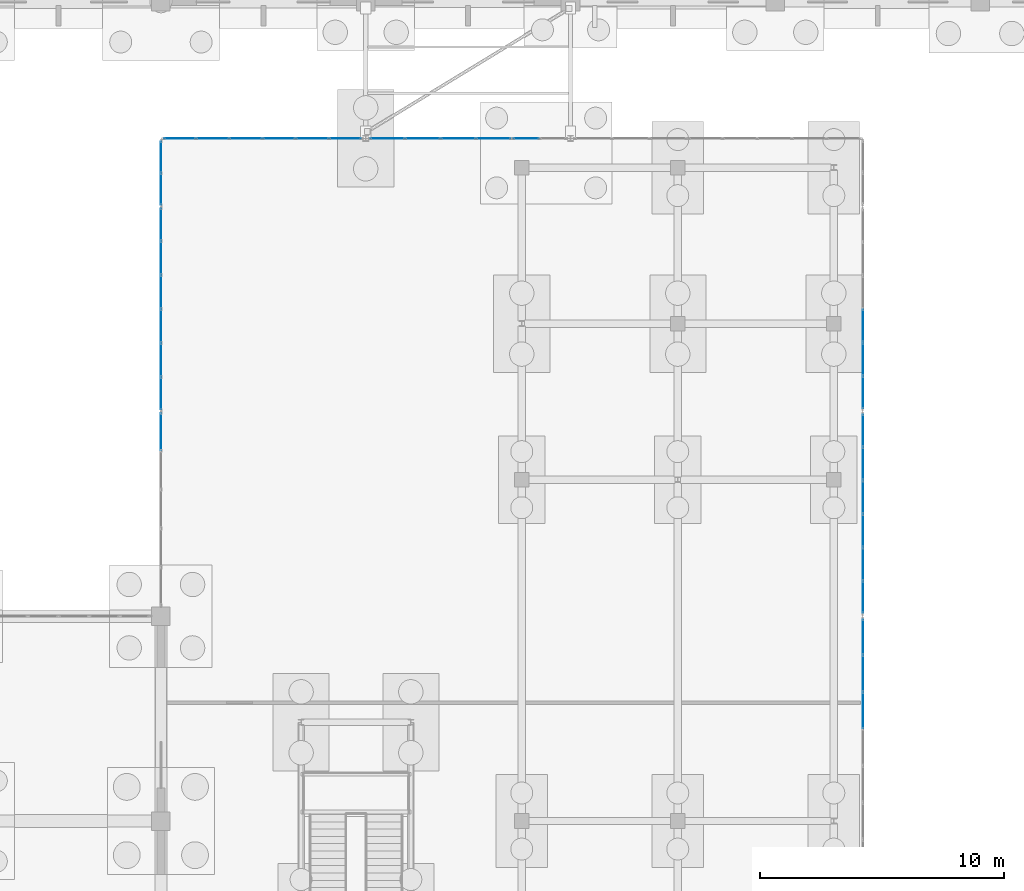
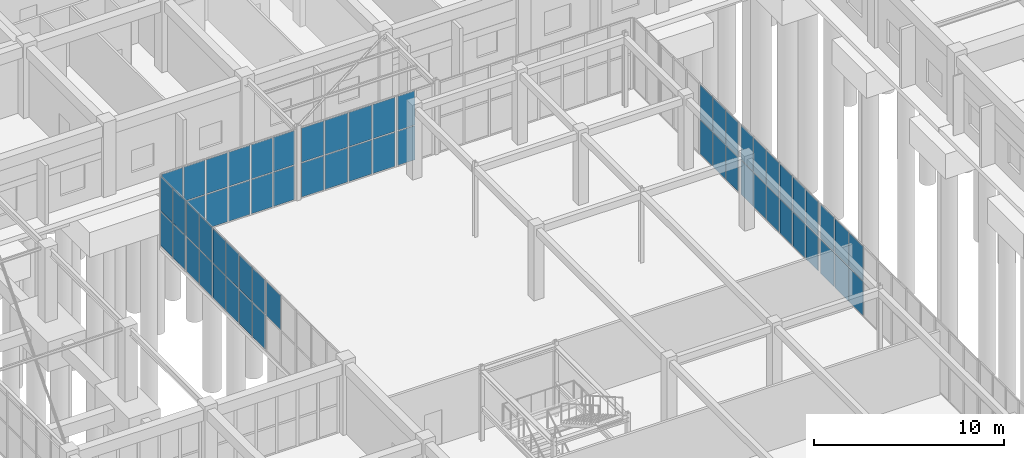
# One storey, part 142 of 192: 63 plates, 9 elements without a shape of their own.
"""IFC4 building model written with IfcOpenShell, lengths in metres."""

from ifc_helpers import new_model, si_unit, direction, frame, origin, origin_2d, place, context, subcontext, project, spatial, rectangle, extrude, material, layer, layer_set, type_object, element, aggregate, save


model = new_model("IFC4")

# Units and contexts
model_context = context("Model", 3, precision=1e-05, world=origin(), true_north=direction((0.0, 1.0)))
body_context = subcontext(model_context, "Body", "Model", "MODEL_VIEW")
ifc_project = project(units=[si_unit("LENGTHUNIT", "METRE"), si_unit("AREAUNIT", "SQUARE_METRE"), si_unit("VOLUMEUNIT", "CUBIC_METRE"), si_unit("PLANEANGLEUNIT", "RADIAN"), si_unit("MASSUNIT", "GRAM", prefix="KILO")], contexts=[model_context])

# Site, building, storey
site_placement = place(None, origin())
site = spatial("IfcSite", under=ifc_project, at=site_placement, CompositionType="ELEMENT")
building_placement = place(site_placement, origin())
building = spatial("IfcBuilding", under=site, at=building_placement, Name="Trelvath General Hospital", CompositionType="ELEMENT")
storey_placement = place(building_placement, origin())
storey = spatial("IfcBuildingStorey", under=building, at=storey_placement, Name="L00", CompositionType="ELEMENT", Elevation=0.0)

# Curtain wall, plates
ifc_material_1 = material(Name="Anodised aluminium and low-E glass", Category="aluminium")
ifc_layer_1 = layer(ifc_material_1, 0.139892578125)
ifc_layer_set_1 = layer_set([ifc_layer_1], Name="Anodised aluminium and low-E glass")
curtain_wall_type_1 = type_object("IfcCurtainWallType", Name="CW CrystalCube 817 456 14", PredefinedType="USERDEFINED", material=ifc_layer_set_1)
curtain_wall_1_placement = place(storey_placement, origin())
curtain_wall_1 = element("IfcCurtainWall", 1, at=curtain_wall_1_placement, inside=storey, type_object=curtain_wall_type_1, Name="Crystal Cube Curtain Wall CUBE-E-T0 N1 L00", ObjectType="Unitised Glazed Curtain Wall", PredefinedType="USERDEFINED")
ifc_material_2 = material(Name="Low-E laminated glass", Category="glass")
ifc_layer_2 = layer(ifc_material_2, 0.028076171875)
ifc_layer_set_2 = layer_set([ifc_layer_2], Name="Low-E laminated glass")
plate_type = type_object("IfcPlateType", Name="CurtainPanel Glass28", PredefinedType="CURTAIN_PANEL", material=ifc_layer_set_2)
plate_1_placement = place(storey_placement, frame((93.17578125, 86.800048828125, 0.06005859375), z_axis=(0.0, 0.0, 1.0), x_axis=(1.0, 0.0, 0.0)))
plate_1 = element("IfcPlate", 2, at=plate_1_placement, type_object=plate_type, Name="CW-111 panel 1.1", PredefinedType="CURTAIN_PANEL", context=body_context, shape_type="SweptSolid", body=[
    extrude(rectangle(XDim=1.271728515625, YDim=0.028076171875, at=origin_2d()), origin(), (0.0, 0.0, 1.0), 2.18994140625),
])
plate_2_placement = place(storey_placement, frame((93.17578125, 86.800048828125, 2.31005859375), z_axis=(0.0, 0.0, 1.0), x_axis=(1.0, 0.0, 0.0)))
plate_2 = element("IfcPlate", 3, at=plate_2_placement, type_object=plate_type, Name="CW-111 panel 1.2", PredefinedType="CURTAIN_PANEL", context=body_context, shape_type="SweptSolid", body=[
    extrude(rectangle(XDim=1.271728515625, YDim=0.028076171875, at=origin_2d()), origin(), (0.0, 0.0, 1.0), 2.18994140625),
])
plate_3_placement = place(storey_placement, frame((94.5224609375, 86.800048828125, 0.06005859375), z_axis=(0.0, 0.0, 1.0), x_axis=(1.0, 0.0, 0.0)))
plate_3 = element("IfcPlate", 4, at=plate_3_placement, type_object=plate_type, Name="CW-111 panel 2.1", PredefinedType="CURTAIN_PANEL", context=body_context, shape_type="SweptSolid", body=[
    extrude(rectangle(XDim=1.3017578125, YDim=0.028076171875, at=origin_2d()), origin(), (0.0, 0.0, 1.0), 2.18994140625),
])
plate_4_placement = place(storey_placement, frame((94.5224609375, 86.800048828125, 2.31005859375), z_axis=(0.0, 0.0, 1.0), x_axis=(1.0, 0.0, 0.0)))
plate_4 = element("IfcPlate", 5, at=plate_4_placement, type_object=plate_type, Name="CW-111 panel 2.2", PredefinedType="CURTAIN_PANEL", context=body_context, shape_type="SweptSolid", body=[
    extrude(rectangle(XDim=1.3017578125, YDim=0.028076171875, at=origin_2d()), origin(), (0.0, 0.0, 1.0), 2.18994140625),
])
plate_5_placement = place(storey_placement, frame((95.88427734375, 86.800048828125, 0.06005859375), z_axis=(0.0, 0.0, 1.0), x_axis=(1.0, 0.0, 0.0)))
plate_5 = element("IfcPlate", 6, at=plate_5_placement, type_object=plate_type, Name="CW-111 panel 3.1", PredefinedType="CURTAIN_PANEL", context=body_context, shape_type="SweptSolid", body=[
    extrude(rectangle(XDim=1.3017578125, YDim=0.028076171875, at=origin_2d()), origin(), (0.0, 0.0, 1.0), 2.18994140625),
])
plate_6_placement = place(storey_placement, frame((95.88427734375, 86.800048828125, 2.31005859375), z_axis=(0.0, 0.0, 1.0), x_axis=(1.0, 0.0, 0.0)))
plate_6 = element("IfcPlate", 7, at=plate_6_placement, type_object=plate_type, Name="CW-111 panel 3.2", PredefinedType="CURTAIN_PANEL", context=body_context, shape_type="SweptSolid", body=[
    extrude(rectangle(XDim=1.3017578125, YDim=0.028076171875, at=origin_2d()), origin(), (0.0, 0.0, 1.0), 2.18994140625),
])
plate_7_placement = place(storey_placement, frame((97.245849609375, 86.800048828125, 0.06005859375), z_axis=(0.0, 0.0, 1.0), x_axis=(1.0, 0.0, 0.0)))
plate_7 = element("IfcPlate", 8, at=plate_7_placement, type_object=plate_type, Name="CW-111 panel 4.1", PredefinedType="CURTAIN_PANEL", context=body_context, shape_type="SweptSolid", body=[
    extrude(rectangle(XDim=1.3017578125, YDim=0.028076171875, at=origin_2d()), origin(), (0.0, 0.0, 1.0), 2.18994140625),
])
plate_8_placement = place(storey_placement, frame((97.245849609375, 86.800048828125, 2.31005859375), z_axis=(0.0, 0.0, 1.0), x_axis=(1.0, 0.0, 0.0)))
plate_8 = element("IfcPlate", 9, at=plate_8_placement, type_object=plate_type, Name="CW-111 panel 4.2", PredefinedType="CURTAIN_PANEL", context=body_context, shape_type="SweptSolid", body=[
    extrude(rectangle(XDim=1.3017578125, YDim=0.028076171875, at=origin_2d()), origin(), (0.0, 0.0, 1.0), 2.18994140625),
])
plate_9_placement = place(storey_placement, frame((98.607421875, 86.800048828125, 0.06005859375), z_axis=(0.0, 0.0, 1.0), x_axis=(1.0, 0.0, 0.0)))
plate_9 = element("IfcPlate", 10, at=plate_9_placement, type_object=plate_type, Name="CW-111 panel 5.1", PredefinedType="CURTAIN_PANEL", context=body_context, shape_type="SweptSolid", body=[
    extrude(rectangle(XDim=1.3017578125, YDim=0.028076171875, at=origin_2d()), origin(), (0.0, 0.0, 1.0), 2.18994140625),
])
plate_10_placement = place(storey_placement, frame((98.607421875, 86.800048828125, 2.31005859375), z_axis=(0.0, 0.0, 1.0), x_axis=(1.0, 0.0, 0.0)))
plate_10 = element("IfcPlate", 11, at=plate_10_placement, type_object=plate_type, Name="CW-111 panel 5.2", PredefinedType="CURTAIN_PANEL", context=body_context, shape_type="SweptSolid", body=[
    extrude(rectangle(XDim=1.3017578125, YDim=0.028076171875, at=origin_2d()), origin(), (0.0, 0.0, 1.0), 2.18994140625),
])
plate_11_placement = place(storey_placement, frame((99.9541015625, 86.800048828125, 0.06005859375), z_axis=(0.0, 0.0, 1.0), x_axis=(1.0, 0.0, 0.0)))
plate_11 = element("IfcPlate", 12, at=plate_11_placement, type_object=plate_type, Name="CW-111 panel 6.1", PredefinedType="CURTAIN_PANEL", context=body_context, shape_type="SweptSolid", body=[
    extrude(rectangle(XDim=1.271728515625, YDim=0.028076171875, at=origin_2d()), origin(), (0.0, 0.0, 1.0), 2.18994140625),
])
plate_12_placement = place(storey_placement, frame((99.9541015625, 86.800048828125, 2.31005859375), z_axis=(0.0, 0.0, 1.0), x_axis=(1.0, 0.0, 0.0)))
plate_12 = element("IfcPlate", 13, at=plate_12_placement, type_object=plate_type, Name="CW-111 panel 6.2", PredefinedType="CURTAIN_PANEL", context=body_context, shape_type="SweptSolid", body=[
    extrude(rectangle(XDim=1.271728515625, YDim=0.028076171875, at=origin_2d()), origin(), (0.0, 0.0, 1.0), 2.18994140625),
])
aggregate(curtain_wall_1, [plate_1, plate_2, plate_3, plate_4, plate_5, plate_6, plate_7, plate_8, plate_9, plate_10, plate_11, plate_12])

ifc_material_3 = material(Name="Anodised aluminium and low-E glass", Category="aluminium")
ifc_layer_3 = layer(ifc_material_3, 0.139892578125)
ifc_layer_set_3 = layer_set([ifc_layer_3], Name="Anodised aluminium and low-E glass")
curtain_wall_type_2 = type_object("IfcCurtainWallType", Name="CW CrystalCube 583 456 14", PredefinedType="USERDEFINED", material=ifc_layer_set_3)
curtain_wall_2_placement = place(storey_placement, origin())
curtain_wall_2 = element("IfcCurtainWall", 14, at=curtain_wall_2_placement, inside=storey, type_object=curtain_wall_type_2, Name="Crystal Cube Curtain Wall CUBE-E-T0 N2 L00", ObjectType="Unitised Glazed Curtain Wall", PredefinedType="USERDEFINED")
plate_13_placement = place(storey_placement, frame((101.69384765625, 86.800048828125, 0.06005859375), z_axis=(0.0, 0.0, 1.0), x_axis=(1.0, 0.0, 0.0)))
plate_13 = element("IfcPlate", 15, at=plate_13_placement, type_object=plate_type, Name="CW-112 panel 1.1", PredefinedType="CURTAIN_PANEL", context=body_context, shape_type="SweptSolid", body=[
    extrude(rectangle(XDim=1.367431640625, YDim=0.028076171875, at=origin_2d()), origin(), (0.0, 0.0, 1.0), 2.18994140625),
])
plate_14_placement = place(storey_placement, frame((101.69384765625, 86.800048828125, 2.31005859375), z_axis=(0.0, 0.0, 1.0), x_axis=(1.0, 0.0, 0.0)))
plate_14 = element("IfcPlate", 16, at=plate_14_placement, type_object=plate_type, Name="CW-112 panel 1.2", PredefinedType="CURTAIN_PANEL", context=body_context, shape_type="SweptSolid", body=[
    extrude(rectangle(XDim=1.367431640625, YDim=0.028076171875, at=origin_2d()), origin(), (0.0, 0.0, 1.0), 2.18994140625),
])
plate_15_placement = place(storey_placement, frame((103.13623046875, 86.800048828125, 0.06005859375), z_axis=(0.0, 0.0, 1.0), x_axis=(1.0, 0.0, 0.0)))
plate_15 = element("IfcPlate", 17, at=plate_15_placement, type_object=plate_type, Name="CW-112 panel 2.1", PredefinedType="CURTAIN_PANEL", context=body_context, shape_type="SweptSolid", body=[
    extrude(rectangle(XDim=1.3974609375, YDim=0.028076171875, at=origin_2d()), origin(), (0.0, 0.0, 1.0), 2.18994140625),
])
plate_16_placement = place(storey_placement, frame((103.13623046875, 86.800048828125, 2.31005859375), z_axis=(0.0, 0.0, 1.0), x_axis=(1.0, 0.0, 0.0)))
plate_16 = element("IfcPlate", 18, at=plate_16_placement, type_object=plate_type, Name="CW-112 panel 2.2", PredefinedType="CURTAIN_PANEL", context=body_context, shape_type="SweptSolid", body=[
    extrude(rectangle(XDim=1.3974609375, YDim=0.028076171875, at=origin_2d()), origin(), (0.0, 0.0, 1.0), 2.18994140625),
])
plate_17_placement = place(storey_placement, frame((104.59375, 86.800048828125, 0.06005859375), z_axis=(0.0, 0.0, 1.0), x_axis=(1.0, 0.0, 0.0)))
plate_17 = element("IfcPlate", 19, at=plate_17_placement, type_object=plate_type, Name="CW-112 panel 3.1", PredefinedType="CURTAIN_PANEL", context=body_context, shape_type="SweptSolid", body=[
    extrude(rectangle(XDim=1.3974609375, YDim=0.028076171875, at=origin_2d()), origin(), (0.0, 0.0, 1.0), 2.18994140625),
])
plate_18_placement = place(storey_placement, frame((104.59375, 86.800048828125, 2.31005859375), z_axis=(0.0, 0.0, 1.0), x_axis=(1.0, 0.0, 0.0)))
plate_18 = element("IfcPlate", 20, at=plate_18_placement, type_object=plate_type, Name="CW-112 panel 3.2", PredefinedType="CURTAIN_PANEL", context=body_context, shape_type="SweptSolid", body=[
    extrude(rectangle(XDim=1.3974609375, YDim=0.028076171875, at=origin_2d()), origin(), (0.0, 0.0, 1.0), 2.18994140625),
])
plate_19_placement = place(storey_placement, frame((106.0361328125, 86.800048828125, 0.06005859375), z_axis=(0.0, 0.0, 1.0), x_axis=(1.0, 0.0, 0.0)))
plate_19 = element("IfcPlate", 21, at=plate_19_placement, type_object=plate_type, Name="CW-112 panel 4.1", PredefinedType="CURTAIN_PANEL", context=body_context, shape_type="SweptSolid", body=[
    extrude(rectangle(XDim=1.367431640625, YDim=0.028076171875, at=origin_2d()), origin(), (0.0, 0.0, 1.0), 2.18994140625),
])
plate_20_placement = place(storey_placement, frame((106.0361328125, 86.800048828125, 2.31005859375), z_axis=(0.0, 0.0, 1.0), x_axis=(1.0, 0.0, 0.0)))
plate_20 = element("IfcPlate", 22, at=plate_20_placement, type_object=plate_type, Name="CW-112 panel 4.2", PredefinedType="CURTAIN_PANEL", context=body_context, shape_type="SweptSolid", body=[
    extrude(rectangle(XDim=1.367431640625, YDim=0.028076171875, at=origin_2d()), origin(), (0.0, 0.0, 1.0), 2.18994140625),
])
aggregate(curtain_wall_2, [plate_13, plate_14, plate_15, plate_16, plate_17, plate_18, plate_19, plate_20])

ifc_material_4 = material(Name="Anodised aluminium and low-E glass", Category="aluminium")
ifc_layer_4 = layer(ifc_material_4, 0.139892578125)
ifc_layer_set_4 = layer_set([ifc_layer_4], Name="Anodised aluminium and low-E glass")
curtain_wall_type_3 = type_object("IfcCurtainWallType", Name="CW CrystalCube 223 456 14", PredefinedType="USERDEFINED", material=ifc_layer_set_4)
curtain_wall_3_placement = place(storey_placement, origin())
curtain_wall_3 = element("IfcCurtainWall", 23, at=curtain_wall_3_placement, inside=storey, type_object=curtain_wall_type_3, Name="Crystal Cube Curtain Wall CUBE-E-T0 N3 L00", ObjectType="Unitised Glazed Curtain Wall", PredefinedType="USERDEFINED")
plate_21_placement = place(storey_placement, frame((107.392578125, 86.800048828125, 0.06005859375), z_axis=(0.0, 0.0, 1.0), x_axis=(1.0, 0.0, 0.0)))
plate_21 = element("IfcPlate", 24, at=plate_21_placement, type_object=plate_type, Name="CW-113 panel 1.1", PredefinedType="CURTAIN_PANEL", context=body_context, shape_type="SweptSolid", body=[
    extrude(rectangle(XDim=1.02490234375, YDim=0.028076171875, at=origin_2d()), origin(), (0.0, 0.0, 1.0), 2.18994140625),
])
plate_22_placement = place(storey_placement, frame((107.392578125, 86.800048828125, 2.31005859375), z_axis=(0.0, 0.0, 1.0), x_axis=(1.0, 0.0, 0.0)))
plate_22 = element("IfcPlate", 25, at=plate_22_placement, type_object=plate_type, Name="CW-113 panel 1.2", PredefinedType="CURTAIN_PANEL", context=body_context, shape_type="SweptSolid", body=[
    extrude(rectangle(XDim=1.02490234375, YDim=0.028076171875, at=origin_2d()), origin(), (0.0, 0.0, 1.0), 2.18994140625),
])
aggregate(curtain_wall_3, [plate_21, plate_22])

ifc_material_5 = material(Name="Anodised aluminium and low-E glass", Category="aluminium")
ifc_layer_5 = layer(ifc_material_5, 0.139892578125)
ifc_layer_set_5 = layer_set([ifc_layer_5], Name="Anodised aluminium and low-E glass")
curtain_wall_type_4 = type_object("IfcCurtainWallType", Name="CW CrystalCube 1664 456 14", PredefinedType="USERDEFINED", material=ifc_layer_set_5)
curtain_wall_4_placement = place(storey_placement, origin())
curtain_wall_4 = element("IfcCurtainWall", 26, at=curtain_wall_4_placement, inside=storey, type_object=curtain_wall_type_4, Name="Crystal Cube Curtain Wall CUBE-E-T0 E4 L00", ObjectType="Unitised Glazed Curtain Wall", PredefinedType="USERDEFINED")
plate_23_placement = place(storey_placement, frame((121.199951171875, 66.3486328125, 0.06005859375), z_axis=(0.0, 0.0, 1.0), x_axis=(0.0, -1.0, 0.0)))
plate_23 = element("IfcPlate", 27, at=plate_23_placement, type_object=plate_type, Name="CW-121 panel 1.1", PredefinedType="CURTAIN_PANEL", context=body_context, shape_type="SweptSolid", body=[
    extrude(rectangle(XDim=1.422607421875, YDim=0.028076171875, at=origin_2d()), origin(), (0.0, 0.0, 1.0), 2.18994140625),
])
plate_24_placement = place(storey_placement, frame((121.199951171875, 66.3486328125, 2.31005859375), z_axis=(0.0, 0.0, 1.0), x_axis=(0.0, -1.0, 0.0)))
plate_24 = element("IfcPlate", 28, at=plate_24_placement, type_object=plate_type, Name="CW-121 panel 1.2", PredefinedType="CURTAIN_PANEL", context=body_context, shape_type="SweptSolid", body=[
    extrude(rectangle(XDim=1.422607421875, YDim=0.028076171875, at=origin_2d()), origin(), (0.0, 0.0, 1.0), 2.18994140625),
])
plate_25_placement = place(storey_placement, frame((121.199951171875, 64.850830078125, 0.06005859375), z_axis=(0.0, 0.0, 1.0), x_axis=(0.0, -1.0, 0.0)))
plate_25 = element("IfcPlate", 29, at=plate_25_placement, type_object=plate_type, Name="CW-121 panel 2.1", PredefinedType="CURTAIN_PANEL", context=body_context, shape_type="SweptSolid", body=[
    extrude(rectangle(XDim=1.45263671875, YDim=0.028076171875, at=origin_2d()), origin(), (0.0, 0.0, 1.0), 2.18994140625),
])
plate_26_placement = place(storey_placement, frame((121.199951171875, 64.850830078125, 2.31005859375), z_axis=(0.0, 0.0, 1.0), x_axis=(0.0, -1.0, 0.0)))
plate_26 = element("IfcPlate", 30, at=plate_26_placement, type_object=plate_type, Name="CW-121 panel 2.2", PredefinedType="CURTAIN_PANEL", context=body_context, shape_type="SweptSolid", body=[
    extrude(rectangle(XDim=1.45263671875, YDim=0.028076171875, at=origin_2d()), origin(), (0.0, 0.0, 1.0), 2.18994140625),
])
plate_27_placement = place(storey_placement, frame((121.199951171875, 63.338134765625, 0.06005859375), z_axis=(0.0, 0.0, 1.0), x_axis=(0.0, -1.0, 0.0)))
plate_27 = element("IfcPlate", 31, at=plate_27_placement, type_object=plate_type, Name="CW-121 panel 3.1", PredefinedType="CURTAIN_PANEL", context=body_context, shape_type="SweptSolid", body=[
    extrude(rectangle(XDim=1.45263671875, YDim=0.028076171875, at=origin_2d()), origin(), (0.0, 0.0, 1.0), 2.18994140625),
])
plate_28_placement = place(storey_placement, frame((121.199951171875, 63.338134765625, 2.31005859375), z_axis=(0.0, 0.0, 1.0), x_axis=(0.0, -1.0, 0.0)))
plate_28 = element("IfcPlate", 32, at=plate_28_placement, type_object=plate_type, Name="CW-121 panel 3.2", PredefinedType="CURTAIN_PANEL", context=body_context, shape_type="SweptSolid", body=[
    extrude(rectangle(XDim=1.45263671875, YDim=0.028076171875, at=origin_2d()), origin(), (0.0, 0.0, 1.0), 2.18994140625),
])
aggregate(curtain_wall_4, [plate_23, plate_24, plate_25, plate_26, plate_27, plate_28])

ifc_material_6 = material(Name="Anodised aluminium and low-E glass", Category="aluminium")
ifc_layer_6 = layer(ifc_material_6, 0.139892578125)
ifc_layer_set_6 = layer_set([ifc_layer_6], Name="Anodised aluminium and low-E glass")
curtain_wall_type_5 = type_object("IfcCurtainWallType", Name="CW CrystalCube 824 456 14", PredefinedType="USERDEFINED", material=ifc_layer_set_6)
curtain_wall_5_placement = place(storey_placement, origin())
curtain_wall_5 = element("IfcCurtainWall", 33, at=curtain_wall_5_placement, inside=storey, type_object=curtain_wall_type_5, Name="Crystal Cube Curtain Wall CUBE-E-T0 E5 L00", ObjectType="Unitised Glazed Curtain Wall", PredefinedType="USERDEFINED")
plate_29_placement = place(storey_placement, frame((121.199951171875, 74.818359375, 0.06005859375), z_axis=(0.0, 0.0, 1.0), x_axis=(0.0, -1.0, 0.0)))
plate_29 = element("IfcPlate", 34, at=plate_29_placement, type_object=plate_type, Name="CW-122 panel 1.1", PredefinedType="CURTAIN_PANEL", context=body_context, shape_type="SweptSolid", body=[
    extrude(rectangle(XDim=1.283447265625, YDim=0.028076171875, at=origin_2d()), origin(), (0.0, 0.0, 1.0), 2.18994140625),
])
plate_30_placement = place(storey_placement, frame((121.199951171875, 74.818359375, 2.31005859375), z_axis=(0.0, 0.0, 1.0), x_axis=(0.0, -1.0, 0.0)))
plate_30 = element("IfcPlate", 35, at=plate_30_placement, type_object=plate_type, Name="CW-122 panel 1.2", PredefinedType="CURTAIN_PANEL", context=body_context, shape_type="SweptSolid", body=[
    extrude(rectangle(XDim=1.283447265625, YDim=0.028076171875, at=origin_2d()), origin(), (0.0, 0.0, 1.0), 2.18994140625),
])
plate_31_placement = place(storey_placement, frame((121.199951171875, 73.4599609375, 0.06005859375), z_axis=(0.0, 0.0, 1.0), x_axis=(0.0, -1.0, 0.0)))
plate_31 = element("IfcPlate", 36, at=plate_31_placement, type_object=plate_type, Name="CW-122 panel 2.1", PredefinedType="CURTAIN_PANEL", context=body_context, shape_type="SweptSolid", body=[
    extrude(rectangle(XDim=1.313232421875, YDim=0.028076171875, at=origin_2d()), origin(), (0.0, 0.0, 1.0), 2.18994140625),
])
plate_32_placement = place(storey_placement, frame((121.199951171875, 73.4599609375, 2.31005859375), z_axis=(0.0, 0.0, 1.0), x_axis=(0.0, -1.0, 0.0)))
plate_32 = element("IfcPlate", 37, at=plate_32_placement, type_object=plate_type, Name="CW-122 panel 2.2", PredefinedType="CURTAIN_PANEL", context=body_context, shape_type="SweptSolid", body=[
    extrude(rectangle(XDim=1.313232421875, YDim=0.028076171875, at=origin_2d()), origin(), (0.0, 0.0, 1.0), 2.18994140625),
])
plate_33_placement = place(storey_placement, frame((121.199951171875, 72.086669921875, 0.06005859375), z_axis=(0.0, 0.0, 1.0), x_axis=(0.0, -1.0, 0.0)))
plate_33 = element("IfcPlate", 38, at=plate_33_placement, type_object=plate_type, Name="CW-122 panel 3.1", PredefinedType="CURTAIN_PANEL", context=body_context, shape_type="SweptSolid", body=[
    extrude(rectangle(XDim=1.313232421875, YDim=0.028076171875, at=origin_2d()), origin(), (0.0, 0.0, 1.0), 2.18994140625),
])
plate_34_placement = place(storey_placement, frame((121.199951171875, 72.086669921875, 2.31005859375), z_axis=(0.0, 0.0, 1.0), x_axis=(0.0, -1.0, 0.0)))
plate_34 = element("IfcPlate", 39, at=plate_34_placement, type_object=plate_type, Name="CW-122 panel 3.2", PredefinedType="CURTAIN_PANEL", context=body_context, shape_type="SweptSolid", body=[
    extrude(rectangle(XDim=1.313232421875, YDim=0.028076171875, at=origin_2d()), origin(), (0.0, 0.0, 1.0), 2.18994140625),
])
plate_35_placement = place(storey_placement, frame((121.199951171875, 70.71337890625, 0.06005859375), z_axis=(0.0, 0.0, 1.0), x_axis=(0.0, -1.0, 0.0)))
plate_35 = element("IfcPlate", 40, at=plate_35_placement, type_object=plate_type, Name="CW-122 panel 4.1", PredefinedType="CURTAIN_PANEL", context=body_context, shape_type="SweptSolid", body=[
    extrude(rectangle(XDim=1.313232421875, YDim=0.028076171875, at=origin_2d()), origin(), (0.0, 0.0, 1.0), 2.18994140625),
])
plate_36_placement = place(storey_placement, frame((121.199951171875, 70.71337890625, 2.31005859375), z_axis=(0.0, 0.0, 1.0), x_axis=(0.0, -1.0, 0.0)))
plate_36 = element("IfcPlate", 41, at=plate_36_placement, type_object=plate_type, Name="CW-122 panel 4.2", PredefinedType="CURTAIN_PANEL", context=body_context, shape_type="SweptSolid", body=[
    extrude(rectangle(XDim=1.313232421875, YDim=0.028076171875, at=origin_2d()), origin(), (0.0, 0.0, 1.0), 2.18994140625),
])
plate_37_placement = place(storey_placement, frame((121.199951171875, 69.340087890625, 0.06005859375), z_axis=(0.0, 0.0, 1.0), x_axis=(0.0, -1.0, 0.0)))
plate_37 = element("IfcPlate", 42, at=plate_37_placement, type_object=plate_type, Name="CW-122 panel 5.1", PredefinedType="CURTAIN_PANEL", context=body_context, shape_type="SweptSolid", body=[
    extrude(rectangle(XDim=1.313232421875, YDim=0.028076171875, at=origin_2d()), origin(), (0.0, 0.0, 1.0), 2.18994140625),
])
plate_38_placement = place(storey_placement, frame((121.199951171875, 69.340087890625, 2.31005859375), z_axis=(0.0, 0.0, 1.0), x_axis=(0.0, -1.0, 0.0)))
plate_38 = element("IfcPlate", 43, at=plate_38_placement, type_object=plate_type, Name="CW-122 panel 5.2", PredefinedType="CURTAIN_PANEL", context=body_context, shape_type="SweptSolid", body=[
    extrude(rectangle(XDim=1.313232421875, YDim=0.028076171875, at=origin_2d()), origin(), (0.0, 0.0, 1.0), 2.18994140625),
])
plate_39_placement = place(storey_placement, frame((121.199951171875, 67.981689453125, 0.06005859375), z_axis=(0.0, 0.0, 1.0), x_axis=(0.0, -1.0, 0.0)))
plate_39 = element("IfcPlate", 44, at=plate_39_placement, type_object=plate_type, Name="CW-122 panel 6.1", PredefinedType="CURTAIN_PANEL", context=body_context, shape_type="SweptSolid", body=[
    extrude(rectangle(XDim=1.283447265625, YDim=0.028076171875, at=origin_2d()), origin(), (0.0, 0.0, 1.0), 2.18994140625),
])
plate_40_placement = place(storey_placement, frame((121.199951171875, 67.981689453125, 2.31005859375), z_axis=(0.0, 0.0, 1.0), x_axis=(0.0, -1.0, 0.0)))
plate_40 = element("IfcPlate", 45, at=plate_40_placement, type_object=plate_type, Name="CW-122 panel 6.2", PredefinedType="CURTAIN_PANEL", context=body_context, shape_type="SweptSolid", body=[
    extrude(rectangle(XDim=1.283447265625, YDim=0.028076171875, at=origin_2d()), origin(), (0.0, 0.0, 1.0), 2.18994140625),
])
aggregate(curtain_wall_5, [plate_29, plate_30, plate_31, plate_32, plate_33, plate_34, plate_35, plate_36, plate_37, plate_38, plate_39, plate_40])

# Curtain wall, plate
ifc_material_7 = material(Name="Anodised aluminium and low-E glass", Category="aluminium")
ifc_layer_7 = layer(ifc_material_7, 0.139892578125)
ifc_layer_set_7 = layer_set([ifc_layer_7], Name="Anodised aluminium and low-E glass")
curtain_wall_type_6 = type_object("IfcCurtainWallType", Name="CW CrystalCube 797 456 14", PredefinedType="USERDEFINED", material=ifc_layer_set_7)
curtain_wall_6_placement = place(storey_placement, origin())
curtain_wall_6 = element("IfcCurtainWall", 46, at=curtain_wall_6_placement, inside=storey, type_object=curtain_wall_type_6, Name="Crystal Cube Curtain Wall CUBE-E-T0 W5 L00", ObjectType="Unitised Glazed Curtain Wall", PredefinedType="USERDEFINED")
plate_41_placement = place(storey_placement, frame((92.39990234375, 74.76806640625, 2.31005859375), z_axis=(0.0, 0.0, 1.0), x_axis=(0.0, 1.0, 0.0)))
plate_41 = element("IfcPlate", 47, at=plate_41_placement, type_object=plate_type, Name="CW-123 panel 5.2", PredefinedType="CURTAIN_PANEL", context=body_context, shape_type="SweptSolid", body=[
    extrude(rectangle(XDim=1.50390625, YDim=0.028076171875, at=origin_2d()), origin(), (0.0, 0.0, 1.0), 2.18994140625),
])
aggregate(curtain_wall_6, [plate_41])

# Curtain wall, plates
curtain_wall_7_placement = place(storey_placement, origin())
curtain_wall_7 = element("IfcCurtainWall", 48, at=curtain_wall_7_placement, inside=storey, type_object=curtain_wall_type_5, Name="Crystal Cube Curtain Wall CUBE-E-T0 E6 L00", ObjectType="Unitised Glazed Curtain Wall", PredefinedType="USERDEFINED")
plate_42_placement = place(storey_placement, frame((121.199951171875, 79.11328125, 0.06005859375), z_axis=(0.0, 0.0, 1.0), x_axis=(0.0, -1.0, 0.0)))
plate_42 = element("IfcPlate", 49, at=plate_42_placement, type_object=plate_type, Name="CW-124 panel 4.1", PredefinedType="CURTAIN_PANEL", context=body_context, shape_type="SweptSolid", body=[
    extrude(rectangle(XDim=1.313232421875, YDim=0.028076171875, at=origin_2d()), origin(), (0.0, 0.0, 1.0), 2.18994140625),
])
plate_43_placement = place(storey_placement, frame((121.199951171875, 79.11328125, 2.31005859375), z_axis=(0.0, 0.0, 1.0), x_axis=(0.0, -1.0, 0.0)))
plate_43 = element("IfcPlate", 50, at=plate_43_placement, type_object=plate_type, Name="CW-124 panel 4.2", PredefinedType="CURTAIN_PANEL", context=body_context, shape_type="SweptSolid", body=[
    extrude(rectangle(XDim=1.313232421875, YDim=0.028076171875, at=origin_2d()), origin(), (0.0, 0.0, 1.0), 2.18994140625),
])
plate_44_placement = place(storey_placement, frame((121.199951171875, 77.739990234375, 0.06005859375), z_axis=(0.0, 0.0, 1.0), x_axis=(0.0, -1.0, 0.0)))
plate_44 = element("IfcPlate", 51, at=plate_44_placement, type_object=plate_type, Name="CW-124 panel 5.1", PredefinedType="CURTAIN_PANEL", context=body_context, shape_type="SweptSolid", body=[
    extrude(rectangle(XDim=1.313232421875, YDim=0.028076171875, at=origin_2d()), origin(), (0.0, 0.0, 1.0), 2.18994140625),
])
plate_45_placement = place(storey_placement, frame((121.199951171875, 77.739990234375, 2.31005859375), z_axis=(0.0, 0.0, 1.0), x_axis=(0.0, -1.0, 0.0)))
plate_45 = element("IfcPlate", 52, at=plate_45_placement, type_object=plate_type, Name="CW-124 panel 5.2", PredefinedType="CURTAIN_PANEL", context=body_context, shape_type="SweptSolid", body=[
    extrude(rectangle(XDim=1.313232421875, YDim=0.028076171875, at=origin_2d()), origin(), (0.0, 0.0, 1.0), 2.18994140625),
])
plate_46_placement = place(storey_placement, frame((121.199951171875, 76.381591796875, 0.06005859375), z_axis=(0.0, 0.0, 1.0), x_axis=(0.0, -1.0, 0.0)))
plate_46 = element("IfcPlate", 53, at=plate_46_placement, type_object=plate_type, Name="CW-124 panel 6.1", PredefinedType="CURTAIN_PANEL", context=body_context, shape_type="SweptSolid", body=[
    extrude(rectangle(XDim=1.283447265625, YDim=0.028076171875, at=origin_2d()), origin(), (0.0, 0.0, 1.0), 2.18994140625),
])
plate_47_placement = place(storey_placement, frame((121.199951171875, 76.381591796875, 2.31005859375), z_axis=(0.0, 0.0, 1.0), x_axis=(0.0, -1.0, 0.0)))
plate_47 = element("IfcPlate", 54, at=plate_47_placement, type_object=plate_type, Name="CW-124 panel 6.2", PredefinedType="CURTAIN_PANEL", context=body_context, shape_type="SweptSolid", body=[
    extrude(rectangle(XDim=1.283447265625, YDim=0.028076171875, at=origin_2d()), origin(), (0.0, 0.0, 1.0), 2.18994140625),
])
aggregate(curtain_wall_7, [plate_42, plate_43, plate_44, plate_45, plate_46, plate_47])

ifc_material_8 = material(Name="Anodised aluminium and low-E glass", Category="aluminium")
ifc_layer_8 = layer(ifc_material_8, 0.139892578125)
ifc_layer_set_8 = layer_set([ifc_layer_8], Name="Anodised aluminium and low-E glass")
curtain_wall_type_7 = type_object("IfcCurtainWallType", Name="CW CrystalCube 836 456 14", PredefinedType="USERDEFINED", material=ifc_layer_set_8)
curtain_wall_8_placement = place(storey_placement, origin())
curtain_wall_8 = element("IfcCurtainWall", 55, at=curtain_wall_8_placement, inside=storey, type_object=curtain_wall_type_7, Name="Crystal Cube Curtain Wall CUBE-E-T0 W6 L00", ObjectType="Unitised Glazed Curtain Wall", PredefinedType="USERDEFINED")
plate_48_placement = place(storey_placement, frame((92.39990234375, 76.331787109375, 0.06005859375), z_axis=(0.0, 0.0, 1.0), x_axis=(0.0, 1.0, 0.0)))
plate_48 = element("IfcPlate", 56, at=plate_48_placement, type_object=plate_type, Name="CW-125 panel 1.1", PredefinedType="CURTAIN_PANEL", context=body_context, shape_type="SweptSolid", body=[
    extrude(rectangle(XDim=1.30322265625, YDim=0.028076171875, at=origin_2d()), origin(), (0.0, 0.0, 1.0), 2.18994140625),
])
plate_49_placement = place(storey_placement, frame((92.39990234375, 76.331787109375, 2.31005859375), z_axis=(0.0, 0.0, 1.0), x_axis=(0.0, 1.0, 0.0)))
plate_49 = element("IfcPlate", 57, at=plate_49_placement, type_object=plate_type, Name="CW-125 panel 1.2", PredefinedType="CURTAIN_PANEL", context=body_context, shape_type="SweptSolid", body=[
    extrude(rectangle(XDim=1.30322265625, YDim=0.028076171875, at=origin_2d()), origin(), (0.0, 0.0, 1.0), 2.18994140625),
])
plate_50_placement = place(storey_placement, frame((92.39990234375, 77.7099609375, 0.06005859375), z_axis=(0.0, 0.0, 1.0), x_axis=(0.0, 1.0, 0.0)))
plate_50 = element("IfcPlate", 58, at=plate_50_placement, type_object=plate_type, Name="CW-125 panel 2.1", PredefinedType="CURTAIN_PANEL", context=body_context, shape_type="SweptSolid", body=[
    extrude(rectangle(XDim=1.333251953125, YDim=0.028076171875, at=origin_2d()), origin(), (0.0, 0.0, 1.0), 2.18994140625),
])
plate_51_placement = place(storey_placement, frame((92.39990234375, 77.7099609375, 2.31005859375), z_axis=(0.0, 0.0, 1.0), x_axis=(0.0, 1.0, 0.0)))
plate_51 = element("IfcPlate", 59, at=plate_51_placement, type_object=plate_type, Name="CW-125 panel 2.2", PredefinedType="CURTAIN_PANEL", context=body_context, shape_type="SweptSolid", body=[
    extrude(rectangle(XDim=1.333251953125, YDim=0.028076171875, at=origin_2d()), origin(), (0.0, 0.0, 1.0), 2.18994140625),
])
plate_52_placement = place(storey_placement, frame((92.39990234375, 79.103271484375, 0.06005859375), z_axis=(0.0, 0.0, 1.0), x_axis=(0.0, 1.0, 0.0)))
plate_52 = element("IfcPlate", 60, at=plate_52_placement, type_object=plate_type, Name="CW-125 panel 3.1", PredefinedType="CURTAIN_PANEL", context=body_context, shape_type="SweptSolid", body=[
    extrude(rectangle(XDim=1.333251953125, YDim=0.028076171875, at=origin_2d()), origin(), (0.0, 0.0, 1.0), 2.18994140625),
])
plate_53_placement = place(storey_placement, frame((92.39990234375, 79.103271484375, 2.31005859375), z_axis=(0.0, 0.0, 1.0), x_axis=(0.0, 1.0, 0.0)))
plate_53 = element("IfcPlate", 61, at=plate_53_placement, type_object=plate_type, Name="CW-125 panel 3.2", PredefinedType="CURTAIN_PANEL", context=body_context, shape_type="SweptSolid", body=[
    extrude(rectangle(XDim=1.333251953125, YDim=0.028076171875, at=origin_2d()), origin(), (0.0, 0.0, 1.0), 2.18994140625),
])
plate_54_placement = place(storey_placement, frame((92.39990234375, 80.49658203125, 0.06005859375), z_axis=(0.0, 0.0, 1.0), x_axis=(0.0, 1.0, 0.0)))
plate_54 = element("IfcPlate", 62, at=plate_54_placement, type_object=plate_type, Name="CW-125 panel 4.1", PredefinedType="CURTAIN_PANEL", context=body_context, shape_type="SweptSolid", body=[
    extrude(rectangle(XDim=1.333251953125, YDim=0.028076171875, at=origin_2d()), origin(), (0.0, 0.0, 1.0), 2.18994140625),
])
plate_55_placement = place(storey_placement, frame((92.39990234375, 80.49658203125, 2.31005859375), z_axis=(0.0, 0.0, 1.0), x_axis=(0.0, 1.0, 0.0)))
plate_55 = element("IfcPlate", 63, at=plate_55_placement, type_object=plate_type, Name="CW-125 panel 4.2", PredefinedType="CURTAIN_PANEL", context=body_context, shape_type="SweptSolid", body=[
    extrude(rectangle(XDim=1.333251953125, YDim=0.028076171875, at=origin_2d()), origin(), (0.0, 0.0, 1.0), 2.18994140625),
])
plate_56_placement = place(storey_placement, frame((92.39990234375, 81.889892578125, 0.06005859375), z_axis=(0.0, 0.0, 1.0), x_axis=(0.0, 1.0, 0.0)))
plate_56 = element("IfcPlate", 64, at=plate_56_placement, type_object=plate_type, Name="CW-125 panel 5.1", PredefinedType="CURTAIN_PANEL", context=body_context, shape_type="SweptSolid", body=[
    extrude(rectangle(XDim=1.333251953125, YDim=0.028076171875, at=origin_2d()), origin(), (0.0, 0.0, 1.0), 2.18994140625),
])
plate_57_placement = place(storey_placement, frame((92.39990234375, 81.889892578125, 2.31005859375), z_axis=(0.0, 0.0, 1.0), x_axis=(0.0, 1.0, 0.0)))
plate_57 = element("IfcPlate", 65, at=plate_57_placement, type_object=plate_type, Name="CW-125 panel 5.2", PredefinedType="CURTAIN_PANEL", context=body_context, shape_type="SweptSolid", body=[
    extrude(rectangle(XDim=1.333251953125, YDim=0.028076171875, at=origin_2d()), origin(), (0.0, 0.0, 1.0), 2.18994140625),
])
plate_58_placement = place(storey_placement, frame((92.39990234375, 83.268310546875, 0.06005859375), z_axis=(0.0, 0.0, 1.0), x_axis=(0.0, 1.0, 0.0)))
plate_58 = element("IfcPlate", 66, at=plate_58_placement, type_object=plate_type, Name="CW-125 panel 6.1", PredefinedType="CURTAIN_PANEL", context=body_context, shape_type="SweptSolid", body=[
    extrude(rectangle(XDim=1.30322265625, YDim=0.028076171875, at=origin_2d()), origin(), (0.0, 0.0, 1.0), 2.18994140625),
])
plate_59_placement = place(storey_placement, frame((92.39990234375, 83.268310546875, 2.31005859375), z_axis=(0.0, 0.0, 1.0), x_axis=(0.0, 1.0, 0.0)))
plate_59 = element("IfcPlate", 67, at=plate_59_placement, type_object=plate_type, Name="CW-125 panel 6.2", PredefinedType="CURTAIN_PANEL", context=body_context, shape_type="SweptSolid", body=[
    extrude(rectangle(XDim=1.30322265625, YDim=0.028076171875, at=origin_2d()), origin(), (0.0, 0.0, 1.0), 2.18994140625),
])
aggregate(curtain_wall_8, [plate_48, plate_49, plate_50, plate_51, plate_52, plate_53, plate_54, plate_55, plate_56, plate_57, plate_58, plate_59])

ifc_material_9 = material(Name="Anodised aluminium and low-E glass", Category="aluminium")
ifc_layer_9 = layer(ifc_material_9, 0.139892578125)
ifc_layer_set_9 = layer_set([ifc_layer_9], Name="Anodised aluminium and low-E glass")
curtain_wall_type_8 = type_object("IfcCurtainWallType", Name="CW CrystalCube 270 456 14", PredefinedType="USERDEFINED", material=ifc_layer_set_9)
curtain_wall_9_placement = place(storey_placement, origin())
curtain_wall_9 = element("IfcCurtainWall", 68, at=curtain_wall_9_placement, inside=storey, type_object=curtain_wall_type_8, Name="Crystal Cube Curtain Wall CUBE-E-T0 W7 L00", ObjectType="Unitised Glazed Curtain Wall", PredefinedType="USERDEFINED")
plate_60_placement = place(storey_placement, frame((92.39990234375, 84.7099609375, 0.06005859375), z_axis=(0.0, 0.0, 1.0), x_axis=(0.0, 1.0, 0.0)))
plate_60 = element("IfcPlate", 69, at=plate_60_placement, type_object=plate_type, Name="CW-127 panel 1.1", PredefinedType="CURTAIN_PANEL", context=body_context, shape_type="SweptSolid", body=[
    extrude(rectangle(XDim=1.260009765625, YDim=0.028076171875, at=origin_2d()), origin(), (0.0, 0.0, 1.0), 2.18994140625),
])
plate_61_placement = place(storey_placement, frame((92.39990234375, 84.7099609375, 2.31005859375), z_axis=(0.0, 0.0, 1.0), x_axis=(0.0, 1.0, 0.0)))
plate_61 = element("IfcPlate", 70, at=plate_61_placement, type_object=plate_type, Name="CW-127 panel 1.2", PredefinedType="CURTAIN_PANEL", context=body_context, shape_type="SweptSolid", body=[
    extrude(rectangle(XDim=1.260009765625, YDim=0.028076171875, at=origin_2d()), origin(), (0.0, 0.0, 1.0), 2.18994140625),
])
plate_62_placement = place(storey_placement, frame((92.39990234375, 86.030029296875, 0.06005859375), z_axis=(0.0, 0.0, 1.0), x_axis=(0.0, 1.0, 0.0)))
plate_62 = element("IfcPlate", 71, at=plate_62_placement, type_object=plate_type, Name="CW-127 panel 2.1", PredefinedType="CURTAIN_PANEL", context=body_context, shape_type="SweptSolid", body=[
    extrude(rectangle(XDim=1.260009765625, YDim=0.028076171875, at=origin_2d()), origin(), (0.0, 0.0, 1.0), 2.18994140625),
])
plate_63_placement = place(storey_placement, frame((92.39990234375, 86.030029296875, 2.31005859375), z_axis=(0.0, 0.0, 1.0), x_axis=(0.0, 1.0, 0.0)))
plate_63 = element("IfcPlate", 72, at=plate_63_placement, type_object=plate_type, Name="CW-127 panel 2.2", PredefinedType="CURTAIN_PANEL", context=body_context, shape_type="SweptSolid", body=[
    extrude(rectangle(XDim=1.260009765625, YDim=0.028076171875, at=origin_2d()), origin(), (0.0, 0.0, 1.0), 2.18994140625),
])
aggregate(curtain_wall_9, [plate_60, plate_61, plate_62, plate_63])

save(model, "model.ifc")
